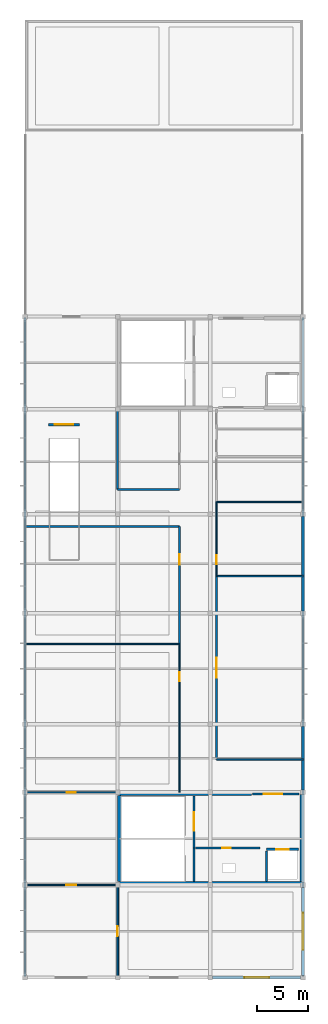
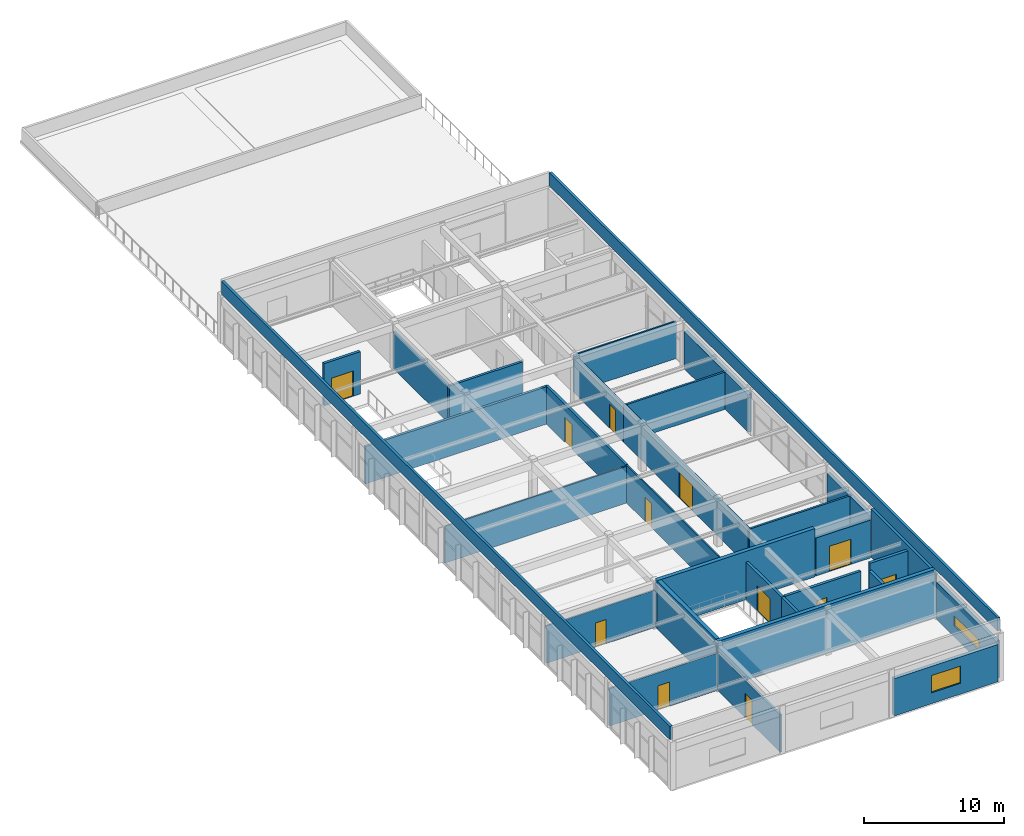
# One storey, part 7 of 10: 31 walls, 12 doors, 2 windows, 14 openings.
"""IFC4 building model written with IfcOpenShell, lengths in metres."""

from ifc_helpers import new_model, si_unit, direction, frame, frame_2d, origin, place, context, subcontext, project, spatial, rectangle, extrude, material, layer, layer_set, type_object, element, fill, save


model = new_model("IFC4")

# Units and contexts
model_context = context("Model", 3, precision=1e-05, world=origin(), true_north=direction((0.0, 1.0)))
body_context = subcontext(model_context, "Body", "Model", "MODEL_VIEW")
ifc_project = project(units=[si_unit("LENGTHUNIT", "METRE"), si_unit("AREAUNIT", "SQUARE_METRE"), si_unit("VOLUMEUNIT", "CUBIC_METRE"), si_unit("PLANEANGLEUNIT", "RADIAN"), si_unit("MASSUNIT", "GRAM", prefix="KILO")], contexts=[model_context])

# Site, building, storey
site_placement = place(None, origin())
site = spatial("IfcSite", under=ifc_project, at=site_placement, CompositionType="ELEMENT")
building_placement = place(site_placement, origin())
building = spatial("IfcBuilding", under=site, at=building_placement, Name="Suirenkawa Promenade Aquatics Centre", CompositionType="ELEMENT")
storey_placement = place(building_placement, frame((0.0, 0.0, 18.60009765625)))
storey = spatial("IfcBuildingStorey", under=building, at=storey_placement, Name="L04", CompositionType="ELEMENT", Elevation=18.60009765625)

# Wall, opening, door
ifc_material_1 = material(Name="Autoclaved aerated concrete blockwork Grade 1", Category="masonry")
ifc_layer_1 = layer(ifc_material_1, 0.199951171875, Name="Autoclaved aerated concrete blockwork Grade 1", Category="masonry")
ifc_layer_set_1 = layer_set([ifc_layer_1], Name="Autoclaved aerated concrete blockwork Grade 1")
wall_type_1 = type_object("IfcWallType", Name="WT-COMP-200", PredefinedType="PARTITIONING", material=ifc_layer_set_1)
wall_1_placement = place(storey_placement, frame((15.0, 36.60009765625, 0.0), z_axis=(0.0, 0.0, 1.0), x_axis=(0.0, 1.0, 0.0)))
wall_1 = element("IfcWall", 1, at=wall_1_placement, inside=storey, type_object=wall_type_1, Name="Interior wall WL-PRT-01 W-7296", PredefinedType="PARTITIONING", context=body_context, shape_type="SweptSolid", body=[
    extrude(rectangle(XDim=11.39990234375, YDim=0.199951171875, at=frame_2d((5.699951171875, 0.0))), origin(), (0.0, 0.0, 1.0), 3.304931640625),
])
opening_1_placement = place(wall_1_placement, frame((7.68310546875, 0.0, 0.0)))
opening_1 = element("IfcOpeningElement", 2, at=opening_1_placement, cuts=wall_1, Name="Opening ID-04", PredefinedType="OPENING", context=body_context, shape_type="SweptSolid", body=[
    extrude(rectangle(XDim=1.050048828125, YDim=2.14990234375, at=frame_2d((0.52490234375, 1.074951171875))), frame((0.0, 0.10986328125, 0.0), z_axis=(0.0, -1.0, 0.0), x_axis=(1.0, 0.0, 0.0)), (0.0, 0.0, 1.0), 0.219970703125),
])
ifc_material_2 = material(Name="Steel IS 2062 E350 (Grade 350)", Category="steel")
door_type_1 = type_object("IfcDoorType", Name="DT-FD120-1050x2150", OperationType="NOTDEFINED", PredefinedType="DOOR", material=ifc_material_2)
door_1_placement = place(opening_1_placement, origin())
door_1 = element("IfcDoor", 3, at=door_1_placement, inside=storey, type_object=door_type_1, Name="Interior door ID-04 DR-INT-0175", OperationType="SINGLE_SWING_RIGHT", OverallHeight=2.14990234375, OverallWidth=1.050048828125, PredefinedType="DOOR", context=body_context, shape_type="SweptSolid", body=[
    extrude(rectangle(XDim=1.050048828125, YDim=2.14990234375, at=frame_2d((0.52490234375, 1.074951171875))), frame((0.0, 0.02490234375, 0.0), z_axis=(0.0, -1.0, 0.0), x_axis=(1.0, 0.0, 0.0)), (0.0, 0.0, 1.0), 0.050048828125),
])
fill(opening_1, door_1)

# Walls
wall_2_placement = place(storey_placement, frame((0.0, 48.0, 0.0), z_axis=(0.0, 0.0, 1.0), x_axis=(1.0, 0.0, 0.0)))
element("IfcWall", 4, at=wall_2_placement, inside=storey, type_object=wall_type_1, Name="Interior wall WL-PRT-01 W-7297", PredefinedType="PARTITIONING", context=body_context, shape_type="SweptSolid", body=[
    extrude(rectangle(XDim=15.0, YDim=0.199951171875, at=frame_2d((7.5, 0.0))), origin(), (0.0, 0.0, 1.0), 3.2548828125),
])
wall_3_placement = place(storey_placement, frame((9.0, 51.60009765625, 0.0), z_axis=(0.0, 0.0, 1.0), x_axis=(1.0, 0.0, 0.0)))
element("IfcWall", 5, at=wall_3_placement, inside=storey, type_object=wall_type_1, Name="Interior wall WL-PRT-01 W-7307", PredefinedType="PARTITIONING", context=body_context, shape_type="SweptSolid", body=[
    extrude(rectangle(XDim=6.0, YDim=0.199951171875, at=frame_2d((3.0, 0.0))), origin(), (0.0, 0.0, 1.0), 3.204833984375),
])
wall_4_placement = place(storey_placement, frame((9.0, 51.60009765625, 0.0), z_axis=(0.0, 0.0, 1.0), x_axis=(0.0, 1.0, 0.0)))
element("IfcWall", 6, at=wall_4_placement, inside=storey, type_object=wall_type_1, Name="Interior wall WL-PRT-01 W-7308", PredefinedType="PARTITIONING", context=body_context, shape_type="SweptSolid", body=[
    extrude(rectangle(XDim=7.7998046875, YDim=0.199951171875, at=frame_2d((3.89990234375, 0.0))), origin(), (0.0, 0.0, 1.0), 3.204833984375),
])
ifc_material_3 = material(Name="Concrete M40", Category="concrete")
ifc_layer_2 = layer(ifc_material_3, 0.320068359375, Name="Concrete M40", Category="concrete")
ifc_layer_set_2 = layer_set([ifc_layer_2], Name="Concrete M40")
wall_type_2 = type_object("IfcWallType", Name="WT-CORE-320", PredefinedType="SHEAR", material=ifc_layer_set_2)
wall_5_placement = place(storey_placement, frame((9.0, 13.360107421875, 0.0), z_axis=(0.0, 0.0, 1.0), x_axis=(1.0, 0.0, 0.0)))
element("IfcWall", 7, at=wall_5_placement, inside=storey, type_object=wall_type_2, Name="C1 south core wall WL-CORE-01 W-0070", PredefinedType="SHEAR", context=body_context, shape_type="SweptSolid", body=[
    extrude(rectangle(XDim=18.0, YDim=0.320068359375, at=frame_2d((9.0, 0.0))), origin(), (0.0, 0.0, 1.0), 4.199951171875),
])
wall_6_placement = place(storey_placement, frame((9.0, 22.0400390625, 0.0), z_axis=(0.0, 0.0, 1.0), x_axis=(1.0, 0.0, 0.0)))
element("IfcWall", 8, at=wall_6_placement, inside=storey, type_object=wall_type_2, Name="C1 north core wall WL-CORE-01 W-0071", PredefinedType="SHEAR", context=body_context, shape_type="SweptSolid", body=[
    extrude(rectangle(XDim=13.0, YDim=0.320068359375, at=frame_2d((6.5, 0.0))), origin(), (0.0, 0.0, 1.0), 4.199951171875),
])
wall_7_placement = place(storey_placement, frame((9.159912109375, 13.52001953125, 0.0), z_axis=(0.0, 0.0, 1.0), x_axis=(0.0, 1.0, 0.0)))
element("IfcWall", 9, at=wall_7_placement, inside=storey, type_object=wall_type_2, Name="C1 west core wall WL-CORE-01 W-0072", PredefinedType="SHEAR", context=body_context, shape_type="SweptSolid", body=[
    extrude(rectangle(XDim=8.35986328125, YDim=0.320068359375, at=frame_2d((4.179931640625, 0.0))), origin(), (0.0, 0.0, 1.0), 4.199951171875),
])
wall_8_placement = place(storey_placement, frame((26.840087890625, 13.52001953125, 0.0), z_axis=(0.0, 0.0, 1.0), x_axis=(0.0, 1.0, 0.0)))
element("IfcWall", 10, at=wall_8_placement, inside=storey, type_object=wall_type_2, Name="C1 east core wall WL-CORE-01 W-0073", PredefinedType="SHEAR", context=body_context, shape_type="SweptSolid", body=[
    extrude(rectangle(XDim=8.47998046875, YDim=0.320068359375, at=frame_2d((4.239990234375, 0.0))), origin(), (0.0, 0.0, 1.0), 4.199951171875),
])

# Wall, opening, window
ifc_layer_3 = layer(ifc_material_3, 0.2900390625, Name="Concrete M40", Category="concrete")
ifc_layer_set_3 = layer_set([ifc_layer_3], Name="Concrete M40")
wall_type_3 = type_object("IfcWallType", Name="WT-EXT-290", PredefinedType="SOLIDWALL", material=ifc_layer_set_3)
wall_9_placement = place(storey_placement, frame((26.77001953125, 4.199951171875, 0.0), z_axis=(0.0, 0.0, 1.0), x_axis=(-1.0, 0.0, 0.0)))
wall_9 = element("IfcWall", 11, at=wall_9_placement, inside=storey, type_object=wall_type_3, Name="Exterior wall WL-EXT-03 W-5093", PredefinedType="SOLIDWALL", context=body_context, shape_type="SweptSolid", body=[
    extrude(rectangle(XDim=8.5400390625, YDim=0.2900390625, at=frame_2d((4.27001953125, 0.0))), origin(), (0.0, 0.0, 1.0), 3.25),
])
opening_2_placement = place(wall_9_placement, frame((3.070068359375, 0.0, 0.949951171875)))
opening_2 = element("IfcOpeningElement", 12, at=opening_2_placement, cuts=wall_9, Name="Opening WN-11", PredefinedType="OPENING", context=body_context, shape_type="SweptSolid", body=[
    extrude(rectangle(XDim=2.39990234375, YDim=1.5, at=frame_2d((1.199951171875, 0.75))), frame((0.0, 0.155029296875, 0.0), z_axis=(0.0, -1.0, 0.0), x_axis=(1.0, 0.0, 0.0)), (0.0, 0.0, 1.0), 0.31005859375),
])
ifc_material_4 = material(Name="Low-E thermally broken double glazing", Category="glass")
window_type_1 = type_object("IfcWindowType", Name="WNT-STD-2400x1500", PartitioningType="SINGLE_PANEL", PredefinedType="WINDOW", material=ifc_material_4)
window_1_placement = place(opening_2_placement, origin())
window_1 = element("IfcWindow", 13, at=window_1_placement, inside=storey, type_object=window_type_1, Name="Window WN-11 WN-0040", OverallHeight=1.5, OverallWidth=2.39990234375, PartitioningType="SINGLE_PANEL", PredefinedType="WINDOW", context=body_context, shape_type="SweptSolid", body=[
    extrude(rectangle(XDim=2.39990234375, YDim=1.5, at=frame_2d((1.199951171875, 0.75))), frame((0.0, 0.030029296875, 0.0), z_axis=(0.0, -1.0, 0.0), x_axis=(1.0, 0.0, 0.0)), (0.0, 0.0, 1.0), 0.06005859375),
])
fill(opening_2, window_1)

wall_10_placement = place(storey_placement, frame((27.0, 12.969970703125, 0.0), z_axis=(0.0, 0.0, 1.0), x_axis=(0.0, -1.0, 0.0)))
wall_10 = element("IfcWall", 14, at=wall_10_placement, inside=storey, type_object=wall_type_3, Name="Exterior wall WL-EXT-03 W-5119", PredefinedType="SOLIDWALL", context=body_context, shape_type="SweptSolid", body=[
    extrude(rectangle(XDim=8.5400390625, YDim=0.2900390625, at=frame_2d((4.27001953125, 0.0))), origin(), (0.0, 0.0, 1.0), 3.25),
])
opening_3_placement = place(wall_10_placement, frame((2.469970703125, 0.0, 0.949951171875)))
opening_3 = element("IfcOpeningElement", 15, at=opening_3_placement, cuts=wall_10, Name="Opening WN-01", PredefinedType="OPENING", context=body_context, shape_type="SweptSolid", body=[
    extrude(rectangle(XDim=3.60009765625, YDim=0.89990234375, at=frame_2d((1.800048828125, 0.449951171875))), frame((0.0, 0.155029296875, 0.0), z_axis=(0.0, -1.0, 0.0), x_axis=(1.0, 0.0, 0.0)), (0.0, 0.0, 1.0), 0.31005859375),
])
window_type_2 = type_object("IfcWindowType", Name="WNT-RIB-3600x900", PartitioningType="SINGLE_PANEL", PredefinedType="WINDOW", material=ifc_material_4)
window_2_placement = place(opening_3_placement, origin())
window_2 = element("IfcWindow", 16, at=window_2_placement, inside=storey, type_object=window_type_2, Name="Window WN-01 WN-0056", OverallHeight=0.89990234375, OverallWidth=3.60009765625, PartitioningType="SINGLE_PANEL", PredefinedType="WINDOW", context=body_context, shape_type="SweptSolid", body=[
    extrude(rectangle(XDim=3.60009765625, YDim=0.89990234375, at=frame_2d((1.800048828125, 0.449951171875))), frame((0.0, 0.030029296875, 0.0), z_axis=(0.0, -1.0, 0.0), x_axis=(1.0, 0.0, 0.0)), (0.0, 0.0, 1.0), 0.06005859375),
])
fill(opening_3, window_2)

# Walls
wall_11_placement = place(storey_placement, frame((27.0, 28.570068359375, 0.0), z_axis=(0.0, 0.0, 1.0), x_axis=(0.0, -1.0, 0.0)))
element("IfcWall", 17, at=wall_11_placement, inside=storey, type_object=wall_type_3, Name="Exterior wall WL-EXT-03 W-5120", PredefinedType="SOLIDWALL", context=body_context, shape_type="SweptSolid", body=[
    extrude(rectangle(XDim=6.14013671875, YDim=0.2900390625, at=frame_2d((3.070068359375, 0.0))), origin(), (0.0, 0.0, 1.0), 3.25),
])
wall_12_placement = place(storey_placement, frame((27.0, 48.969970703125, 0.0), z_axis=(0.0, 0.0, 1.0), x_axis=(0.0, -1.0, 0.0)))
element("IfcWall", 18, at=wall_12_placement, inside=storey, type_object=wall_type_3, Name="Exterior wall WL-EXT-03 W-5121", PredefinedType="SOLIDWALL", context=body_context, shape_type="SweptSolid", body=[
    extrude(rectangle(XDim=9.139892578125, YDim=0.2900390625, at=frame_2d((4.56982421875, 0.0))), origin(), (0.0, 0.0, 1.0), 3.25),
])

# Wall, opening, door
ifc_material_5 = material(Name="Moisture-resistant acoustic gypsum board")
ifc_layer_4 = layer(ifc_material_5, 0.1201171875, Name="Moisture-resistant acoustic gypsum board")
ifc_layer_set_4 = layer_set([ifc_layer_4], Name="Moisture-resistant acoustic gypsum board")
wall_type_4 = type_object("IfcWallType", Name="WT-LIGHT-120", PredefinedType="PARTITIONING", material=ifc_layer_set_4)
wall_13_placement = place(storey_placement, frame((15.0, 22.199951171875, 0.0), z_axis=(0.0, 0.0, 1.0), x_axis=(0.0, 1.0, 0.0)))
wall_13 = element("IfcWall", 19, at=wall_13_placement, inside=storey, type_object=wall_type_4, Name="Interior wall WL-PRT-05 W-7294", PredefinedType="PARTITIONING", context=body_context, shape_type="SweptSolid", body=[
    extrude(rectangle(XDim=14.400146484375, YDim=0.1201171875, at=frame_2d((7.2001953125, 0.0))), origin(), (0.0, 0.0, 1.0), 3.304931640625),
])
opening_4_placement = place(wall_13_placement, frame((10.781982421875, 0.0, 0.0)))
opening_4 = element("IfcOpeningElement", 20, at=opening_4_placement, cuts=wall_13, Name="Opening ID-12", PredefinedType="OPENING", context=body_context, shape_type="SweptSolid", body=[
    extrude(rectangle(XDim=0.89990234375, YDim=2.10009765625, at=frame_2d((0.449951171875, 1.050048828125))), frame((0.0, 0.070068359375, 0.0), z_axis=(0.0, -1.0, 0.0), x_axis=(1.0, 0.0, 0.0)), (0.0, 0.0, 1.0), 0.14013671875),
])
ifc_material_6 = material(Name="Engineered maple acoustic sports timber", Category="wood")
door_type_2 = type_object("IfcDoorType", Name="DT-STD-900x2100", OperationType="NOTDEFINED", PredefinedType="DOOR", material=ifc_material_6)
door_2_placement = place(opening_4_placement, origin())
door_2 = element("IfcDoor", 21, at=door_2_placement, inside=storey, type_object=door_type_2, Name="Interior door ID-12 DR-INT-0174", OperationType="SINGLE_SWING_LEFT", OverallHeight=2.10009765625, OverallWidth=0.89990234375, PredefinedType="DOOR", context=body_context, shape_type="SweptSolid", body=[
    extrude(rectangle(XDim=0.89990234375, YDim=2.10009765625, at=frame_2d((0.449951171875, 1.050048828125))), frame((0.0, 0.02490234375, 0.0), z_axis=(0.0, -1.0, 0.0), x_axis=(1.0, 0.0, 0.0)), (0.0, 0.0, 1.0), 0.050048828125),
])
fill(opening_4, door_2)

# Wall
wall_14_placement = place(storey_placement, frame((0.0, 36.60009765625, 0.0), z_axis=(0.0, 0.0, 1.0), x_axis=(1.0, 0.0, 0.0)))
element("IfcWall", 22, at=wall_14_placement, inside=storey, type_object=wall_type_4, Name="Interior wall WL-PRT-05 W-7295", PredefinedType="PARTITIONING", context=body_context, shape_type="SweptSolid", body=[
    extrude(rectangle(XDim=15.0, YDim=0.1201171875, at=frame_2d((7.5, 0.0))), origin(), (0.0, 0.0, 1.0), 3.204833984375),
])

# Wall, opening, door
wall_15_placement = place(storey_placement, frame((0.0, 22.199951171875, 0.0), z_axis=(0.0, 0.0, 1.0), x_axis=(1.0, 0.0, 0.0)))
wall_15 = element("IfcWall", 23, at=wall_15_placement, inside=storey, type_object=wall_type_4, Name="Interior wall WL-PRT-05 W-7300", PredefinedType="PARTITIONING", context=body_context, shape_type="SweptSolid", body=[
    extrude(rectangle(XDim=9.0, YDim=0.1201171875, at=frame_2d((4.5, 0.0))), origin(), (0.0, 0.0, 1.0), 3.2548828125),
])
opening_5_placement = place(wall_15_placement, frame((4.050048828125, 0.0, 0.0)))
opening_5 = element("IfcOpeningElement", 24, at=opening_5_placement, cuts=wall_15, Name="Opening ID-12", PredefinedType="OPENING", context=body_context, shape_type="SweptSolid", body=[
    extrude(rectangle(XDim=0.89990234375, YDim=2.10009765625, at=frame_2d((0.449951171875, 1.050048828125))), frame((0.0, 0.070068359375, 0.0), z_axis=(0.0, -1.0, 0.0), x_axis=(1.0, 0.0, 0.0)), (0.0, 0.0, 1.0), 0.14013671875),
])
door_3_placement = place(opening_5_placement, origin())
door_3 = element("IfcDoor", 25, at=door_3_placement, inside=storey, type_object=door_type_2, Name="Interior door ID-12 DR-INT-0178", OperationType="SINGLE_SWING_LEFT", OverallHeight=2.10009765625, OverallWidth=0.89990234375, PredefinedType="DOOR", context=body_context, shape_type="SweptSolid", body=[
    extrude(rectangle(XDim=0.89990234375, YDim=2.10009765625, at=frame_2d((0.449951171875, 1.050048828125))), frame((0.0, 0.02490234375, 0.0), z_axis=(0.0, -1.0, 0.0), x_axis=(1.0, 0.0, 0.0)), (0.0, 0.0, 1.0), 0.050048828125),
])
fill(opening_5, door_3)

wall_16_placement = place(storey_placement, frame((18.60009765625, 43.199951171875, 0.0), z_axis=(0.0, 0.0, 1.0), x_axis=(0.0, 1.0, 0.0)))
wall_16 = element("IfcWall", 26, at=wall_16_placement, inside=storey, type_object=wall_type_4, Name="Interior wall WL-PRT-05 W-7304", PredefinedType="PARTITIONING", context=body_context, shape_type="SweptSolid", body=[
    extrude(rectangle(XDim=7.199951171875, YDim=0.1201171875, at=frame_2d((3.60009765625, 0.0))), origin(), (0.0, 0.0, 1.0), 3.304931640625),
])
opening_6_placement = place(wall_16_placement, frame((1.134033203125, 0.0, 0.0)))
opening_6 = element("IfcOpeningElement", 27, at=opening_6_placement, cuts=wall_16, Name="Opening ID-12", PredefinedType="OPENING", context=body_context, shape_type="SweptSolid", body=[
    extrude(rectangle(XDim=0.89990234375, YDim=2.10009765625, at=frame_2d((0.449951171875, 1.050048828125))), frame((0.0, 0.070068359375, 0.0), z_axis=(0.0, -1.0, 0.0), x_axis=(1.0, 0.0, 0.0)), (0.0, 0.0, 1.0), 0.14013671875),
])
door_4_placement = place(opening_6_placement, origin())
door_4 = element("IfcDoor", 28, at=door_4_placement, inside=storey, type_object=door_type_2, Name="Interior door ID-12 DR-INT-0180", OperationType="SINGLE_SWING_RIGHT", OverallHeight=2.10009765625, OverallWidth=0.89990234375, PredefinedType="DOOR", context=body_context, shape_type="SweptSolid", body=[
    extrude(rectangle(XDim=0.89990234375, YDim=2.10009765625, at=frame_2d((0.449951171875, 1.050048828125))), frame((0.0, 0.02490234375, 0.0), z_axis=(0.0, -1.0, 0.0), x_axis=(1.0, 0.0, 0.0)), (0.0, 0.0, 1.0), 0.050048828125),
])
fill(opening_6, door_4)

# Wall
wall_17_placement = place(storey_placement, frame((18.60009765625, 50.39990234375, 0.0), z_axis=(0.0, 0.0, 1.0), x_axis=(1.0, 0.0, 0.0)))
element("IfcWall", 29, at=wall_17_placement, inside=storey, type_object=wall_type_4, Name="Interior wall WL-PRT-05 W-7305", PredefinedType="PARTITIONING", context=body_context, shape_type="SweptSolid", body=[
    extrude(rectangle(XDim=8.39990234375, YDim=0.1201171875, at=frame_2d((4.199951171875, 0.0))), origin(), (0.0, 0.0, 1.0), 3.2548828125),
])

# Wall, opening, door
ifc_material_7 = material(Name="Concrete M35", Category="concrete")
ifc_layer_5 = layer(ifc_material_7, 0.219970703125, Name="Concrete M35", Category="concrete")
ifc_layer_set_5 = layer_set([ifc_layer_5], Name="Concrete M35")
wall_type_5 = type_object("IfcWallType", Name="WT-LOBBY-220", PredefinedType="PARTITIONING", material=ifc_layer_set_5)
wall_18_placement = place(storey_placement, frame((16.39990234375, 21.85009765625, 0.0), z_axis=(0.0, 0.0, 1.0), x_axis=(0.0, -1.0, 0.0)))
wall_18 = element("IfcWall", 30, at=wall_18_placement, inside=storey, type_object=wall_type_5, Name="Interior wall WL-LOB-01 W-7030", PredefinedType="PARTITIONING", context=body_context, shape_type="SweptSolid", body=[
    extrude(rectangle(XDim=5.050048828125, YDim=0.219970703125, at=frame_2d((2.52490234375, 0.0))), origin(), (0.0, 0.0, 1.0), 3.304931640625),
])
opening_7_placement = place(wall_18_placement, frame((1.60009765625, 0.0, 0.0)))
opening_7 = element("IfcOpeningElement", 31, at=opening_7_placement, cuts=wall_18, Name="Opening ID-02", PredefinedType="OPENING", context=body_context, shape_type="SweptSolid", body=[
    extrude(rectangle(XDim=1.800048828125, YDim=2.199951171875, at=frame_2d((0.89990234375, 1.10009765625))), frame((0.0, 0.119873046875, 0.0), z_axis=(0.0, -1.0, 0.0), x_axis=(1.0, 0.0, 0.0)), (0.0, 0.0, 1.0), 0.239990234375),
])
door_type_3 = type_object("IfcDoorType", Name="DT-FD120-1800x2200", OperationType="DOUBLE_DOOR_SINGLE_SWING", PredefinedType="DOOR", material=ifc_material_2)
door_5_placement = place(opening_7_placement, origin())
door_5 = element("IfcDoor", 32, at=door_5_placement, inside=storey, type_object=door_type_3, Name="Interior door ID-02 DR-INT-0020", OperationType="DOUBLE_DOOR_SINGLE_SWING", OverallHeight=2.199951171875, OverallWidth=1.800048828125, PredefinedType="DOOR", context=body_context, shape_type="SweptSolid", body=[
    extrude(rectangle(XDim=1.800048828125, YDim=2.199951171875, at=frame_2d((0.89990234375, 1.10009765625))), frame((0.0, 0.02490234375, 0.0), z_axis=(0.0, -1.0, 0.0), x_axis=(1.0, 0.0, 0.0)), (0.0, 0.0, 1.0), 0.050048828125),
])
fill(opening_7, door_5)

# Wall
wall_19_placement = place(storey_placement, frame((16.39990234375, 13.550048828125, 0.0), z_axis=(0.0, 0.0, 1.0), x_axis=(0.0, 1.0, 0.0)))
element("IfcWall", 33, at=wall_19_placement, inside=storey, type_object=wall_type_5, Name="Interior wall WL-LOB-01 W-7031", PredefinedType="PARTITIONING", context=body_context, shape_type="SweptSolid", body=[
    extrude(rectangle(XDim=3.25, YDim=0.219970703125, at=frame_2d((1.625, 0.0))), origin(), (0.0, 0.0, 1.0), 3.304931640625),
])

# Wall, opening, door
wall_20_placement = place(storey_placement, frame((16.550048828125, 16.800048828125, 0.0), z_axis=(0.0, 0.0, 1.0), x_axis=(1.0, 0.0, 0.0)))
wall_20 = element("IfcWall", 34, at=wall_20_placement, inside=storey, type_object=wall_type_5, Name="Interior wall WL-LOB-01 W-7032", PredefinedType="PARTITIONING", context=body_context, shape_type="SweptSolid", body=[
    extrude(rectangle(XDim=6.25, YDim=0.219970703125, at=frame_2d((3.125, 0.0))), origin(), (0.0, 0.0, 1.0), 3.35498046875),
])
opening_8_placement = place(wall_20_placement, frame((2.60009765625, 0.0, 0.0)))
opening_8 = element("IfcOpeningElement", 35, at=opening_8_placement, cuts=wall_20, Name="Opening ID-13", PredefinedType="OPENING", context=body_context, shape_type="SweptSolid", body=[
    extrude(rectangle(XDim=0.85009765625, YDim=2.050048828125, at=frame_2d((0.425048828125, 1.02490234375))), frame((0.0, 0.119873046875, 0.0), z_axis=(0.0, -1.0, 0.0), x_axis=(1.0, 0.0, 0.0)), (0.0, 0.0, 1.0), 0.239990234375),
])
door_type_4 = type_object("IfcDoorType", Name="DT-RISER-850x2050", OperationType="NOTDEFINED", PredefinedType="DOOR", material=ifc_material_2)
door_6_placement = place(opening_8_placement, origin())
door_6 = element("IfcDoor", 36, at=door_6_placement, inside=storey, type_object=door_type_4, Name="Interior door ID-13 DR-INT-0021", OperationType="SINGLE_SWING_LEFT", OverallHeight=2.050048828125, OverallWidth=0.85009765625, PredefinedType="DOOR", context=body_context, shape_type="SweptSolid", body=[
    extrude(rectangle(XDim=0.85009765625, YDim=2.050048828125, at=frame_2d((0.425048828125, 1.02490234375))), frame((0.0, 0.02490234375, 0.0), z_axis=(0.0, -1.0, 0.0), x_axis=(1.0, 0.0, 0.0)), (0.0, 0.0, 1.0), 0.050048828125),
])
fill(opening_8, door_6)

wall_21_placement = place(storey_placement, frame((22.10009765625, 22.0400390625, 0.0), z_axis=(0.0, 0.0, 1.0), x_axis=(1.0, 0.0, 0.0)))
wall_21 = element("IfcWall", 37, at=wall_21_placement, inside=storey, type_object=wall_type_5, Name="Interior wall WL-LOB-01 W-7035", PredefinedType="PARTITIONING", context=body_context, shape_type="SweptSolid", body=[
    extrude(rectangle(XDim=4.5, YDim=0.219970703125, at=frame_2d((2.25, 0.0))), origin(), (0.0, 0.0, 1.0), 3.304931640625),
])
opening_9_placement = place(wall_21_placement, frame((1.10009765625, 0.0, 0.0)))
opening_9 = element("IfcOpeningElement", 38, at=opening_9_placement, cuts=wall_21, Name="Opening ID-02", PredefinedType="OPENING", context=body_context, shape_type="SweptSolid", body=[
    extrude(rectangle(XDim=1.800048828125, YDim=2.199951171875, at=frame_2d((0.89990234375, 1.10009765625))), frame((0.0, 0.119873046875, 0.0), z_axis=(0.0, -1.0, 0.0), x_axis=(1.0, 0.0, 0.0)), (0.0, 0.0, 1.0), 0.239990234375),
])
door_7_placement = place(opening_9_placement, origin())
door_7 = element("IfcDoor", 39, at=door_7_placement, inside=storey, type_object=door_type_3, Name="Interior door ID-02 DR-INT-0023", OperationType="DOUBLE_DOOR_SINGLE_SWING", OverallHeight=2.199951171875, OverallWidth=1.800048828125, PredefinedType="DOOR", context=body_context, shape_type="SweptSolid", body=[
    extrude(rectangle(XDim=1.800048828125, YDim=2.199951171875, at=frame_2d((0.89990234375, 1.10009765625))), frame((0.0, 0.02490234375, 0.0), z_axis=(0.0, -1.0, 0.0), x_axis=(1.0, 0.0, 0.0)), (0.0, 0.0, 1.0), 0.050048828125),
])
fill(opening_9, door_7)

wall_22_placement = place(storey_placement, frame((2.300048828125, 57.89990234375, 0.0), z_axis=(0.0, 0.0, 1.0), x_axis=(1.0, 0.0, 0.0)))
wall_22 = element("IfcWall", 40, at=wall_22_placement, inside=storey, type_object=wall_type_5, Name="Interior wall WL-LOB-01 W-7411", PredefinedType="PARTITIONING", context=body_context, shape_type="SweptSolid", body=[
    extrude(rectangle(XDim=3.0, YDim=0.219970703125, at=frame_2d((1.5, 0.0))), origin(), (0.0, 0.0, 1.0), 3.684814453125),
])
opening_10_placement = place(wall_22_placement, frame((0.60009765625, 0.0, 0.0)))
opening_10 = element("IfcOpeningElement", 41, at=opening_10_placement, cuts=wall_22, Name="Opening ID-02", PredefinedType="OPENING", context=body_context, shape_type="SweptSolid", body=[
    extrude(rectangle(XDim=1.800048828125, YDim=2.199951171875, at=frame_2d((0.89990234375, 1.10009765625))), frame((0.0, 0.119873046875, 0.0), z_axis=(0.0, -1.0, 0.0), x_axis=(1.0, 0.0, 0.0)), (0.0, 0.0, 1.0), 0.239990234375),
])
door_8_placement = place(opening_10_placement, origin())
door_8 = element("IfcDoor", 42, at=door_8_placement, inside=storey, type_object=door_type_3, Name="Interior door ID-02 DR-INT-0247", OperationType="DOUBLE_DOOR_SINGLE_SWING", OverallHeight=2.199951171875, OverallWidth=1.800048828125, PredefinedType="DOOR", context=body_context, shape_type="SweptSolid", body=[
    extrude(rectangle(XDim=1.800048828125, YDim=2.199951171875, at=frame_2d((0.89990234375, 1.10009765625))), frame((0.0, 0.02490234375, 0.0), z_axis=(0.0, -1.0, 0.0), x_axis=(1.0, 0.0, 0.0)), (0.0, 0.0, 1.0), 0.050048828125),
])
fill(opening_10, door_8)

# Walls
ifc_layer_6 = layer(ifc_material_3, 0.2099609375, Name="Concrete M40", Category="concrete")
ifc_layer_set_6 = layer_set([ifc_layer_6], Name="Concrete M40")
wall_type_6 = type_object("IfcWallType", Name="WT-PARAPET-210", PredefinedType="PARAPET", material=ifc_layer_set_6)
for number, where, z_axis, x_axis, name in (
    (43, (27.0, 4.31005859375, 4.199951171875), (0.0, 0.0, 1.0), (0.0, 1.0, 0.0), "Roof parapet WL-PAR-01 W-5124"),
    (44, (0.0, 68.2900390625, 4.199951171875), (0.0, 0.0, 1.0), (0.0, -1.0, 0.0), "Roof parapet WL-PAR-01 W-5126"),
):
    element("IfcWall", number, at=place(storey_placement, frame(where, z_axis=z_axis, x_axis=x_axis)), inside=storey, type_object=wall_type_6, Name=name, PredefinedType="PARAPET", context=body_context, shape_type="SweptSolid", body=[
        extrude(rectangle(XDim=63.97998046875, YDim=0.2099609375, at=frame_2d((31.989990234375, 0.0))), origin(), (0.0, 0.0, 1.0), 1.14990234375),
    ])

# Wall, opening, door
ifc_layer_7 = layer(ifc_material_3, 0.239990234375, Name="Concrete M40", Category="concrete")
ifc_layer_set_7 = layer_set([ifc_layer_7], Name="Concrete M40")
wall_type_7 = type_object("IfcWallType", Name="WT-SHAFT-240", PredefinedType="SOLIDWALL", material=ifc_layer_set_7)
wall_23_placement = place(storey_placement, frame((23.449951171875, 16.64990234375, 0.0), z_axis=(0.0, 0.0, 1.0), x_axis=(1.0, 0.0, 0.0)))
wall_23 = element("IfcWall", 45, at=wall_23_placement, inside=storey, type_object=wall_type_7, Name="Interior wall WL-SHF-01 W-7033", PredefinedType="SOLIDWALL", context=body_context, shape_type="SweptSolid", body=[
    extrude(rectangle(XDim=3.10009765625, YDim=0.239990234375, at=frame_2d((1.550048828125, 0.0))), origin(), (0.0, 0.0, 1.0), 3.90478515625),
])
opening_11_placement = place(wall_23_placement, frame((0.949951171875, 0.0, 0.0)))
opening_11 = element("IfcOpeningElement", 46, at=opening_11_placement, cuts=wall_23, Name="Opening LD-02", PredefinedType="OPENING", context=body_context, shape_type="SweptSolid", body=[
    extrude(rectangle(XDim=1.199951171875, YDim=2.199951171875, at=frame_2d((0.60009765625, 1.10009765625))), frame((0.0, 0.1298828125, 0.0), z_axis=(0.0, -1.0, 0.0), x_axis=(1.0, 0.0, 0.0)), (0.0, 0.0, 1.0), 0.260009765625),
])
ifc_material_8 = material(Name="Marine-grade stainless steel Grade 316L", Category="steel")
door_type_5 = type_object("IfcDoorType", Name="DT-LIFT-1200x2200", OperationType="DOUBLE_DOOR_SLIDING", PredefinedType="DOOR", material=ifc_material_8)
door_9_placement = place(opening_11_placement, origin())
door_9 = element("IfcDoor", 47, at=door_9_placement, inside=storey, type_object=door_type_5, Name="Landing door LD-02 DR-INT-0022", OperationType="DOUBLE_DOOR_SLIDING", OverallHeight=2.199951171875, OverallWidth=1.199951171875, PredefinedType="DOOR", context=body_context, shape_type="SweptSolid", body=[
    extrude(rectangle(XDim=1.199951171875, YDim=2.199951171875, at=frame_2d((0.60009765625, 1.10009765625))), frame((0.0, 0.02490234375, 0.0), z_axis=(0.0, -1.0, 0.0), x_axis=(1.0, 0.0, 0.0)), (0.0, 0.0, 1.0), 0.050048828125),
])
fill(opening_11, door_9)

# Wall
wall_24_placement = place(storey_placement, frame((23.449951171875, 13.550048828125, 0.0), z_axis=(0.0, 0.0, 1.0), x_axis=(0.0, 1.0, 0.0)))
element("IfcWall", 48, at=wall_24_placement, inside=storey, type_object=wall_type_7, Name="Interior wall WL-SHF-01 W-7034", PredefinedType="SOLIDWALL", context=body_context, shape_type="SweptSolid", body=[
    extrude(rectangle(XDim=2.949951171875, YDim=0.239990234375, at=frame_2d((1.47509765625, 0.0))), origin(), (0.0, 0.0, 1.0), 3.304931640625),
])

# Wall, opening, door
ifc_layer_8 = layer(ifc_material_5, 0.139892578125, Name="Moisture-resistant acoustic gypsum board")
ifc_layer_set_8 = layer_set([ifc_layer_8], Name="Moisture-resistant acoustic gypsum board")
wall_type_8 = type_object("IfcWallType", Name="WT-STD-140", PredefinedType="PARTITIONING", material=ifc_layer_set_8)
wall_25_placement = place(storey_placement, frame((0.0, 13.199951171875, 0.0), z_axis=(0.0, 0.0, 1.0), x_axis=(1.0, 0.0, 0.0)))
wall_25 = element("IfcWall", 49, at=wall_25_placement, inside=storey, type_object=wall_type_8, Name="Interior wall WL-PRT-04 W-7299", PredefinedType="PARTITIONING", context=body_context, shape_type="SweptSolid", body=[
    extrude(rectangle(XDim=9.0, YDim=0.139892578125, at=frame_2d((4.5, 0.0))), origin(), (0.0, 0.0, 1.0), 3.2548828125),
])
opening_12_placement = place(wall_25_placement, frame((4.02490234375, 0.0, 0.0)))
opening_12 = element("IfcOpeningElement", 50, at=opening_12_placement, cuts=wall_25, Name="Opening ID-11", PredefinedType="OPENING", context=body_context, shape_type="SweptSolid", body=[
    extrude(rectangle(XDim=0.949951171875, YDim=2.10009765625, at=frame_2d((0.47509765625, 1.050048828125))), frame((0.0, 0.079833984375, 0.0), z_axis=(0.0, -1.0, 0.0), x_axis=(1.0, 0.0, 0.0)), (0.0, 0.0, 1.0), 0.159912109375),
])
door_type_6 = type_object("IfcDoorType", Name="DT-STD-950x2100", OperationType="NOTDEFINED", PredefinedType="DOOR", material=ifc_material_6)
door_10_placement = place(opening_12_placement, origin())
door_10 = element("IfcDoor", 51, at=door_10_placement, inside=storey, type_object=door_type_6, Name="Interior door ID-11 DR-INT-0177", OperationType="SINGLE_SWING_RIGHT", OverallHeight=2.10009765625, OverallWidth=0.949951171875, PredefinedType="DOOR", context=body_context, shape_type="SweptSolid", body=[
    extrude(rectangle(XDim=0.949951171875, YDim=2.10009765625, at=frame_2d((0.47509765625, 1.050048828125))), frame((0.0, 0.02490234375, 0.0), z_axis=(0.0, -1.0, 0.0), x_axis=(1.0, 0.0, 0.0)), (0.0, 0.0, 1.0), 0.050048828125),
])
fill(opening_12, door_10)

ifc_layer_9 = layer(ifc_material_1, 0.159912109375, Name="Autoclaved aerated concrete blockwork Grade 1", Category="masonry")
ifc_layer_set_9 = layer_set([ifc_layer_9], Name="Autoclaved aerated concrete blockwork Grade 1")
wall_type_9 = type_object("IfcWallType", Name="WT-WET-160", PredefinedType="PARTITIONING", material=ifc_layer_set_9)
wall_26_placement = place(storey_placement, frame((9.0, 4.199951171875, 0.0), z_axis=(0.0, 0.0, 1.0), x_axis=(0.0, 1.0, 0.0)))
wall_26 = element("IfcWall", 52, at=wall_26_placement, inside=storey, type_object=wall_type_9, Name="Interior wall WL-PRT-03 W-7298", PredefinedType="PARTITIONING", context=body_context, shape_type="SweptSolid", body=[
    extrude(rectangle(XDim=9.0, YDim=0.159912109375, at=frame_2d((4.5, 0.0))), origin(), (0.0, 0.0, 1.0), 3.2548828125),
])
opening_13_placement = place(wall_26_placement, frame((4.0, 0.0, 0.0)))
opening_13 = element("IfcOpeningElement", 53, at=opening_13_placement, cuts=wall_26, Name="Opening ID-07", PredefinedType="OPENING", context=body_context, shape_type="SweptSolid", body=[
    extrude(rectangle(XDim=1.0, YDim=2.10009765625, at=frame_2d((0.5, 1.050048828125))), frame((0.0, 0.08984375, 0.0), z_axis=(0.0, -1.0, 0.0), x_axis=(1.0, 0.0, 0.0)), (0.0, 0.0, 1.0), 0.179931640625),
])
door_type_7 = type_object("IfcDoorType", Name="DT-FD60-1000x2100", OperationType="NOTDEFINED", PredefinedType="DOOR", material=ifc_material_6)
door_11_placement = place(opening_13_placement, origin())
door_11 = element("IfcDoor", 54, at=door_11_placement, inside=storey, type_object=door_type_7, Name="Interior door ID-07 DR-INT-0176", OperationType="SINGLE_SWING_LEFT", OverallHeight=2.10009765625, OverallWidth=1.0, PredefinedType="DOOR", context=body_context, shape_type="SweptSolid", body=[
    extrude(rectangle(XDim=1.0, YDim=2.10009765625, at=frame_2d((0.5, 1.050048828125))), frame((0.0, 0.02490234375, 0.0), z_axis=(0.0, -1.0, 0.0), x_axis=(1.0, 0.0, 0.0)), (0.0, 0.0, 1.0), 0.050048828125),
])
fill(opening_13, door_11)

wall_27_placement = place(storey_placement, frame((18.60009765625, 25.39990234375, 0.0), z_axis=(0.0, 0.0, 1.0), x_axis=(0.0, 1.0, 0.0)))
wall_27 = element("IfcWall", 55, at=wall_27_placement, inside=storey, type_object=wall_type_9, Name="Interior wall WL-PRT-03 W-7301", PredefinedType="PARTITIONING", context=body_context, shape_type="SweptSolid", body=[
    extrude(rectangle(XDim=17.800048828125, YDim=0.159912109375, at=frame_2d((8.89990234375, 0.0))), origin(), (0.0, 0.0, 1.0), 3.304931640625),
])
opening_14_placement = place(wall_27_placement, frame((7.949951171875, 0.0, 0.0)))
opening_14 = element("IfcOpeningElement", 56, at=opening_14_placement, cuts=wall_27, Name="Opening DR-FD60", PredefinedType="OPENING", context=body_context, shape_type="SweptSolid", body=[
    extrude(rectangle(XDim=1.89990234375, YDim=2.199951171875, at=frame_2d((0.949951171875, 1.10009765625))), frame((0.0, 0.08984375, 0.0), z_axis=(0.0, -1.0, 0.0), x_axis=(1.0, 0.0, 0.0)), (0.0, 0.0, 1.0), 0.179931640625),
])
door_type_8 = type_object("IfcDoorType", Name="DT-FD60-1900x2200", OperationType="DOUBLE_DOOR_SINGLE_SWING", PredefinedType="DOOR", material=ifc_material_6)
door_12_placement = place(opening_14_placement, origin())
door_12 = element("IfcDoor", 57, at=door_12_placement, inside=storey, type_object=door_type_8, Name="Interior door DR-FD60 DR-INT-0179", OperationType="DOUBLE_DOOR_SINGLE_SWING", OverallHeight=2.199951171875, OverallWidth=1.89990234375, PredefinedType="DOOR", context=body_context, shape_type="SweptSolid", body=[
    extrude(rectangle(XDim=1.89990234375, YDim=2.199951171875, at=frame_2d((0.949951171875, 1.10009765625))), frame((0.0, 0.02490234375, 0.0), z_axis=(0.0, -1.0, 0.0), x_axis=(1.0, 0.0, 0.0)), (0.0, 0.0, 1.0), 0.050048828125),
])
fill(opening_14, door_12)

# Walls
for number, where, z_axis, x_axis, name in (
    (58, (18.60009765625, 25.39990234375, 0.0), (0.0, 0.0, 1.0), (1.0, 0.0, 0.0), "Interior wall WL-PRT-03 W-7302"),
    (59, (18.60009765625, 43.199951171875, 0.0), (0.0, 0.0, 1.0), (1.0, 0.0, 0.0), "Interior wall WL-PRT-03 W-7303"),
):
    element("IfcWall", number, at=place(storey_placement, frame(where, z_axis=z_axis, x_axis=x_axis)), inside=storey, type_object=wall_type_9, Name=name, PredefinedType="PARTITIONING", context=body_context, shape_type="SweptSolid", body=[
        extrude(rectangle(XDim=8.39990234375, YDim=0.159912109375, at=frame_2d((4.199951171875, 0.0))), origin(), (0.0, 0.0, 1.0), 3.2548828125),
    ])

save(model, "model.ifc")
